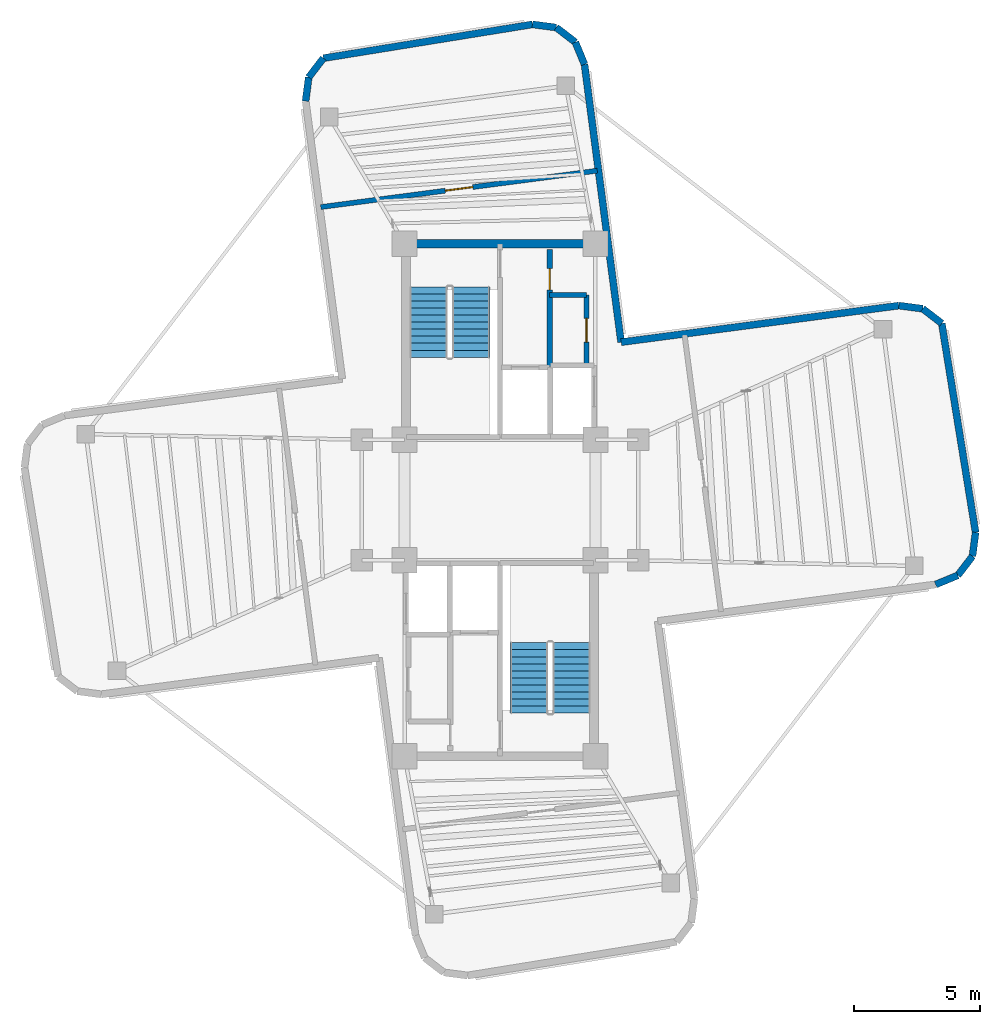
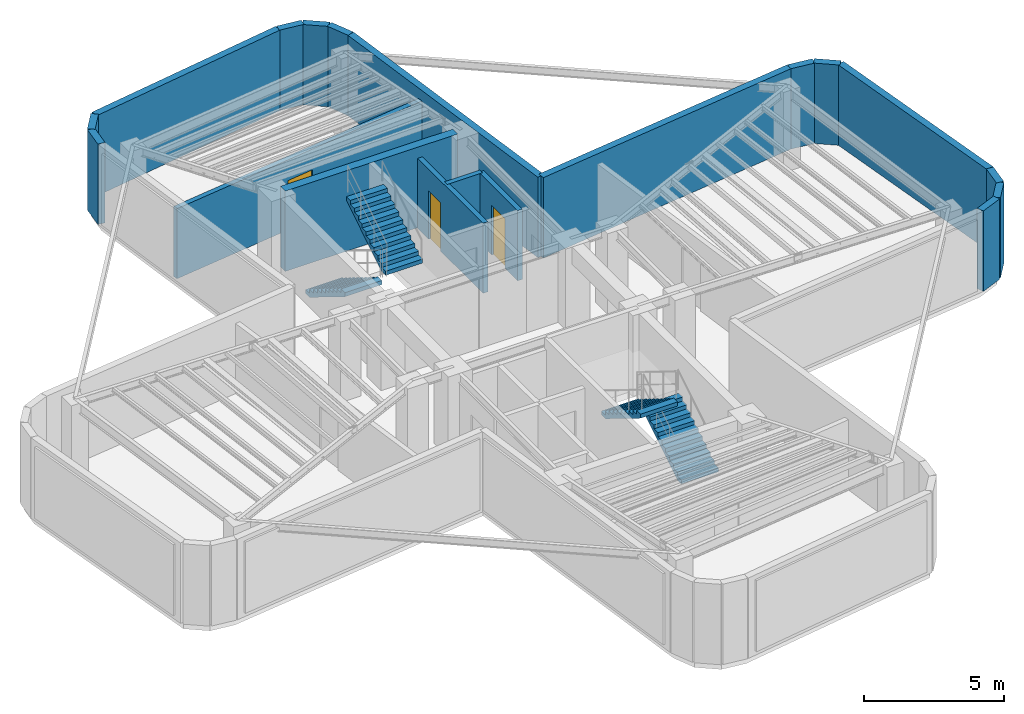
# One storey, part 5 of 6: 19 walls, 4 stair flights, 3 doors, 3 openings, 2 elements without a shape of their own.
"""IFC4 building model written with IfcOpenShell, lengths in metres."""

from ifc_helpers import new_model, si_unit, direction, frame, frame_2d, origin, origin_2d, place, context, subcontext, project, spatial, polyline, rectangle, outline, extrude, source, transform, mapped, material, layer, layer_set, type_object, element, fill, aggregate, save


model = new_model("IFC4")

# Units and contexts
model_context = context("Model", 3, precision=1e-05, world=origin(), true_north=direction((0.0, 1.0)))
body_context = subcontext(model_context, "Body", "Model", "MODEL_VIEW")
ifc_project = project(units=[si_unit("LENGTHUNIT", "METRE"), si_unit("AREAUNIT", "SQUARE_METRE"), si_unit("VOLUMEUNIT", "CUBIC_METRE"), si_unit("PLANEANGLEUNIT", "RADIAN"), si_unit("MASSUNIT", "GRAM", prefix="KILO")], contexts=[model_context])

# Site, building, storey
site_placement = place(None, origin())
site = spatial("IfcSite", under=ifc_project, at=site_placement, CompositionType="ELEMENT")
building_placement = place(site_placement, origin())
building = spatial("IfcBuilding", under=site, at=building_placement, Name="Sahyath Konkavel Grand Hotel", CompositionType="ELEMENT")
storey_placement = place(building_placement, frame((0.0, 0.0, 288.89990234375)))
storey = spatial("IfcBuildingStorey", under=building, at=storey_placement, Name="L80", CompositionType="ELEMENT", Elevation=288.89990234375)

# Wall
ifc_material_1 = material(Name="Concrete C40/50", Category="concrete")
ifc_layer_1 = layer(ifc_material_1, 0.35009765625)
ifc_layer_set_1 = layer_set([ifc_layer_1], Name="Concrete C40/50")
wall_type_1 = type_object("IfcWallType", Name="CWALL-350", PredefinedType="SHEAR", material=ifc_layer_set_1)
wall_1_placement = place(storey_placement, frame((-3.550048828125, 10.199951171875, 0.0), z_axis=(0.0, 0.0, 1.0), x_axis=(1.0, 0.0, 0.0)))
element("IfcWall", 1, at=wall_1_placement, inside=storey, type_object=wall_type_1, Name="L80 North Core Shear Wall N", PredefinedType="SHEAR", context=body_context, shape_type="SweptSolid", body=[
    extrude(rectangle(XDim=7.10009765625, YDim=0.35009765625, at=frame_2d((3.550048828125, 0.0))), origin(), (0.0, 0.0, 1.0), 3.5),
])

# Wall, opening, door
ifc_layer_2 = layer(ifc_material_1, 0.199951171875)
ifc_layer_set_2 = layer_set([ifc_layer_2], Name="Concrete C40/50")
wall_type_2 = type_object("IfcWallType", Name="WLL-CORE-200", PredefinedType="SOLIDWALL", material=ifc_layer_set_2)
wall_2_placement = place(storey_placement, frame((1.97998046875, 5.320068359375, 0.0), z_axis=(0.0, 0.0, 1.0), x_axis=(0.0, 1.0, 0.0)))
wall_2 = element("IfcWall", 2, at=wall_2_placement, inside=storey, type_object=wall_type_2, Name="L80 North Firefighting Lobby Wall E", PredefinedType="SOLIDWALL", context=body_context, shape_type="SweptSolid", body=[
    extrude(rectangle(XDim=4.659912109375, YDim=0.199951171875, at=frame_2d((2.330078125, 0.0))), origin(), (0.0, 0.0, 1.0), 3.050048828125),
])
opening_1_placement = place(wall_2_placement, frame((3.0400390625, 0.0, 0.0)))
opening_1 = element("IfcOpeningElement", 3, at=opening_1_placement, cuts=wall_2, Name="Opening D-F12D", PredefinedType="OPENING", context=body_context, shape_type="SweptSolid", body=[
    extrude(rectangle(XDim=0.85009765625, YDim=2.10009765625, at=frame_2d((0.425048828125, 1.050048828125))), frame((0.0, 0.10986328125, 0.0), z_axis=(0.0, -1.0, 0.0), x_axis=(1.0, 0.0, 0.0)), (0.0, 0.0, 1.0), 0.219970703125),
])
ifc_material_2 = material(Name="Steel E350 Core Fire Door", Category="steel")
door_type_1 = type_object("IfcDoorType", Name="DR-FD120-850", OperationType="NOTDEFINED", PredefinedType="DOOR", material=ifc_material_2)
shared_shape_1 = source(origin(), body_context, "Body", "SweptSolid", [
    extrude(rectangle(XDim=0.85009765625, YDim=0.050048828125, at=origin_2d()), origin(), (0.0, 0.0, 1.0), 2.10009765625),
])
door_1_placement = place(opening_1_placement, frame((0.425048828125, 0.0, 0.0)))
door_1 = element("IfcDoor", 4, at=door_1_placement, inside=storey, type_object=door_type_1, Name="L80 North Firefighting Lobby Door", OperationType="SINGLE_SWING_RIGHT", OverallHeight=2.10009765625, OverallWidth=0.85009765625, PredefinedType="DOOR", context=body_context, shape_type="MappedRepresentation", body=[
    mapped(shared_shape_1, transform((0.0, 0.0, 0.0), scale=1.0)),
])
fill(opening_1, door_1)

wall_3_placement = place(storey_placement, frame((3.43994140625, 5.3798828125, 0.0), z_axis=(0.0, 0.0, 1.0), x_axis=(0.0, 1.0, 0.0)))
wall_3 = element("IfcWall", 5, at=wall_3_placement, inside=storey, type_object=wall_type_2, Name="L80 Reclaimed North Core Wall E", PredefinedType="SOLIDWALL", context=body_context, shape_type="SweptSolid", body=[
    extrude(rectangle(XDim=2.77001953125, YDim=0.199951171875, at=frame_2d((1.385009765625, 0.0))), origin(), (0.0, 0.0, 1.0), 3.050048828125),
])
opening_2_placement = place(wall_3_placement, frame((0.89990234375, 0.0, 0.0)))
opening_2 = element("IfcOpeningElement", 6, at=opening_2_placement, cuts=wall_3, Name="Opening D-F06B", PredefinedType="OPENING", context=body_context, shape_type="SweptSolid", body=[
    extrude(rectangle(XDim=0.949951171875, YDim=2.14990234375, at=frame_2d((0.47509765625, 1.074951171875))), frame((0.0, 0.10986328125, 0.0), z_axis=(0.0, -1.0, 0.0), x_axis=(1.0, 0.0, 0.0)), (0.0, 0.0, 1.0), 0.219970703125),
])
ifc_material_3 = material(Name="Teak Veneer Fire-Rated Guest Entrance Door")
door_type_2 = type_object("IfcDoorType", Name="DR-FD60-950", OperationType="NOTDEFINED", PredefinedType="DOOR", material=ifc_material_3)
shared_shape_2 = source(origin(), body_context, "Body", "SweptSolid", [
    extrude(rectangle(XDim=0.949951171875, YDim=0.050048828125, at=origin_2d()), origin(), (0.0, 0.0, 1.0), 2.14990234375),
])
door_2_placement = place(opening_2_placement, frame((0.47509765625, 0.0, 0.0)))
door_2 = element("IfcDoor", 7, at=door_2_placement, inside=storey, type_object=door_type_2, Name="L80 Door NC-REC1-D", OperationType="SINGLE_SWING_RIGHT", OverallHeight=2.14990234375, OverallWidth=0.949951171875, PredefinedType="DOOR", context=body_context, shape_type="MappedRepresentation", body=[
    mapped(shared_shape_2, transform((0.0, 0.0, 0.0), scale=1.0)),
])
fill(opening_2, door_2)

# Wall
wall_4_placement = place(storey_placement, frame((1.97998046875, 8.14990234375, 0.0), z_axis=(0.0, 0.0, 1.0), x_axis=(1.0, 0.0, 0.0)))
element("IfcWall", 8, at=wall_4_placement, inside=storey, type_object=wall_type_2, Name="L80 Partition NC-REC-N", PredefinedType="SOLIDWALL", context=body_context, shape_type="SweptSolid", body=[
    extrude(rectangle(XDim=1.4599609375, YDim=0.199951171875, at=frame_2d((0.72998046875, 0.0))), origin(), (0.0, 0.0, 1.0), 3.050048828125),
])

# Wall, opening, door
wall_5_placement = place(storey_placement, frame((3.872314453125, 13.107666015625, 0.0), z_axis=(0.0, 0.0, 1.0), x_axis=(-0.991443437127, -0.130537009991, 0.0)))
wall_5 = element("IfcWall", 9, at=wall_5_placement, inside=storey, type_object=wall_type_2, Name="L80 Partition CP-LMR-IN", PredefinedType="SOLIDWALL", context=body_context, shape_type="SweptSolid", body=[
    extrude(rectangle(XDim=11.10009765625, YDim=0.199951171875, at=frame_2d((5.550048828125, 0.0))), origin(), (0.0, 0.0, 1.0), 3.050048828125),
])
opening_3_placement = place(wall_5_placement, frame((5.0, 0.0, 0.0)))
opening_3 = element("IfcOpeningElement", 10, at=opening_3_placement, cuts=wall_5, Name="Opening D-F12B", PredefinedType="OPENING", context=body_context, shape_type="SweptSolid", body=[
    extrude(rectangle(XDim=1.10009765625, YDim=2.14990234375, at=frame_2d((0.550048828125, 1.074951171875))), frame((0.0, 0.10986328125, 0.0), z_axis=(0.0, -1.0, 0.0), x_axis=(1.0, 0.0, 0.0)), (0.0, 0.0, 1.0), 0.219970703125),
])
ifc_material_4 = material(Name="Steel E350 Smokeproof Fire Door", Category="steel")
door_type_3 = type_object("IfcDoorType", Name="DR-FD120-1100", OperationType="NOTDEFINED", PredefinedType="DOOR", material=ifc_material_4)
shared_shape_3 = source(origin(), body_context, "Body", "SweptSolid", [
    extrude(rectangle(XDim=1.10009765625, YDim=0.050048828125, at=origin_2d()), origin(), (0.0, 0.0, 1.0), 2.14990234375),
])
door_3_placement = place(opening_3_placement, frame((0.550048828125, 0.0, 0.0)))
door_3 = element("IfcDoor", 11, at=door_3_placement, inside=storey, type_object=door_type_3, Name="L80 Door CP-LMR-D", OperationType="SINGLE_SWING_RIGHT", OverallHeight=2.14990234375, OverallWidth=1.10009765625, PredefinedType="DOOR", context=body_context, shape_type="MappedRepresentation", body=[
    mapped(shared_shape_3, transform((0.0, 0.0, 0.0), scale=1.0)),
])
fill(opening_3, door_3)

# Walls
ifc_material_5 = material(Name="Warm Buff Sandstone Insulated Concrete C40/50", Category="masonry")
ifc_layer_3 = layer(ifc_material_5, 0.280029296875)
ifc_layer_set_3 = layer_set([ifc_layer_3], Name="Warm Buff Sandstone Insulated Concrete C40/50")
wall_type_3 = type_object("IfcWallType", Name="WLL-CROWN-CLAD", PredefinedType="SOLIDWALL", material=ifc_layer_set_3)
for number, where, z_axis, x_axis, name in (
    (12, (17.337646484375, -3.36572265625, 0.0), (0.0, 0.0, 1.0), (0.923889442397, 0.382659506909, 0.0), "L80 Crown Sandstone & Acoustic Louvre Wall 1"),
    (13, (18.222412109375, -2.999267578125, 0.0), (0.0, 0.0, 1.0), (0.608774010809, 0.793343685778, 0.0), "L80 Crown Sandstone & Acoustic Louvre Wall 2"),
    (14, (18.805419921875, -2.239501953125, 0.0), (0.0, 0.0, 1.0), (0.130527053476, 0.991444747987, 0.0), "L80 Crown Sandstone & Acoustic Louvre Wall 3"),
):
    element("IfcWall", number, at=place(storey_placement, frame(where, z_axis=z_axis, x_axis=x_axis)), inside=storey, type_object=wall_type_3, Name=name, PredefinedType="SOLIDWALL", context=body_context, shape_type="SweptSolid", body=[
        extrude(rectangle(XDim=0.957763671875, YDim=0.280029296875, at=frame_2d((0.47900390625, 0.0))), origin(), (0.0, 0.0, 1.0), 3.5),
    ])
wall_6_placement = place(storey_placement, frame((18.930419921875, -1.2900390625, 0.0), z_axis=(0.0, 0.0, 1.0), x_axis=(-0.159629483961, 0.987176999251, 0.0)))
element("IfcWall", 15, at=wall_6_placement, inside=storey, type_object=wall_type_3, Name="L80 Crown Sandstone & Acoustic Louvre Wall 4", PredefinedType="SOLIDWALL", context=body_context, shape_type="SweptSolid", body=[
    extrude(rectangle(XDim=8.4287109375, YDim=0.280029296875, at=frame_2d((4.21435546875, 0.0))), origin(), (0.0, 0.0, 1.0), 3.5),
])
wall_7_placement = place(storey_placement, frame((17.5849609375, 7.030517578125, 0.0), z_axis=(0.0, 0.0, 1.0), x_axis=(-0.793466811674, 0.60861352168, 0.0)))
element("IfcWall", 16, at=wall_7_placement, inside=storey, type_object=wall_type_3, Name="L80 Crown Sandstone & Acoustic Louvre Wall 5", PredefinedType="SOLIDWALL", context=body_context, shape_type="SweptSolid", body=[
    extrude(rectangle(XDim=0.95751953125, YDim=0.280029296875, at=frame_2d((0.478759765625, 0.0))), origin(), (0.0, 0.0, 1.0), 3.5),
])
wall_8_placement = place(storey_placement, frame((16.8251953125, 7.61328125, 0.0), z_axis=(0.0, 0.0, 1.0), x_axis=(-0.991444747987, 0.130527053476, 0.0)))
element("IfcWall", 17, at=wall_8_placement, inside=storey, type_object=wall_type_3, Name="L80 Crown Sandstone & Acoustic Louvre Wall 6", PredefinedType="SOLIDWALL", context=body_context, shape_type="SweptSolid", body=[
    extrude(rectangle(XDim=0.957763671875, YDim=0.280029296875, at=frame_2d((0.47900390625, 0.0))), origin(), (0.0, 0.0, 1.0), 3.5),
])
for number, where, z_axis, x_axis, name in (
    (18, (15.875732421875, 7.73828125, 0.0), (0.0, 0.0, 1.0), (-0.991445499165, -0.130521347626, 0.0), "L80 Crown Sandstone & Acoustic Louvre Wall 7"),
    (19, (4.821044921875, 6.282958984375, 0.0), (0.0, 0.0, 1.0), (-0.130521347626, 0.991445499165, 0.0), "L80 Crown Sandstone & Acoustic Louvre Wall 8"),
):
    element("IfcWall", number, at=place(storey_placement, frame(where, z_axis=z_axis, x_axis=x_axis)), inside=storey, type_object=wall_type_3, Name=name, PredefinedType="SOLIDWALL", context=body_context, shape_type="SweptSolid", body=[
        extrude(rectangle(XDim=11.150146484375, YDim=0.280029296875, at=frame_2d((5.5751953125, 0.0))), origin(), (0.0, 0.0, 1.0), 3.5),
    ])
for number, where, z_axis, x_axis, name in (
    (20, (3.36572265625, 17.337646484375, 0.0), (0.0, 0.0, 1.0), (-0.382659506909, 0.923889442397, 0.0), "L80 Crown Sandstone & Acoustic Louvre Wall 9"),
    (21, (2.999267578125, 18.222412109375, 0.0), (0.0, 0.0, 1.0), (-0.793343685778, 0.608774010809, 0.0), "L80 Crown Sandstone & Acoustic Louvre Wall 10"),
    (22, (2.239501953125, 18.805419921875, 0.0), (0.0, 0.0, 1.0), (-0.991444747987, 0.130527053476, 0.0), "L80 Crown Sandstone & Acoustic Louvre Wall 11"),
):
    element("IfcWall", number, at=place(storey_placement, frame(where, z_axis=z_axis, x_axis=x_axis)), inside=storey, type_object=wall_type_3, Name=name, PredefinedType="SOLIDWALL", context=body_context, shape_type="SweptSolid", body=[
        extrude(rectangle(XDim=0.957763671875, YDim=0.280029296875, at=frame_2d((0.47900390625, 0.0))), origin(), (0.0, 0.0, 1.0), 3.5),
    ])
wall_9_placement = place(storey_placement, frame((1.2900390625, 18.930419921875, 0.0), z_axis=(0.0, 0.0, 1.0), x_axis=(-0.987176999251, -0.159629483961, 0.0)))
element("IfcWall", 23, at=wall_9_placement, inside=storey, type_object=wall_type_3, Name="L80 Crown Sandstone & Acoustic Louvre Wall 12", PredefinedType="SOLIDWALL", context=body_context, shape_type="SweptSolid", body=[
    extrude(rectangle(XDim=8.4287109375, YDim=0.280029296875, at=frame_2d((4.21435546875, 0.0))), origin(), (0.0, 0.0, 1.0), 3.5),
])
wall_10_placement = place(storey_placement, frame((-7.030517578125, 17.5849609375, 0.0), z_axis=(0.0, 0.0, 1.0), x_axis=(-0.60861352168, -0.793466811674, 0.0)))
element("IfcWall", 24, at=wall_10_placement, inside=storey, type_object=wall_type_3, Name="L80 Crown Sandstone & Acoustic Louvre Wall 13", PredefinedType="SOLIDWALL", context=body_context, shape_type="SweptSolid", body=[
    extrude(rectangle(XDim=0.95751953125, YDim=0.280029296875, at=frame_2d((0.478759765625, 0.0))), origin(), (0.0, 0.0, 1.0), 3.5),
])
wall_11_placement = place(storey_placement, frame((-7.61328125, 16.8251953125, 0.0), z_axis=(0.0, 0.0, 1.0), x_axis=(-0.130527053476, -0.991444747987, 0.0)))
element("IfcWall", 25, at=wall_11_placement, inside=storey, type_object=wall_type_3, Name="L80 Crown Sandstone & Acoustic Louvre Wall 14", PredefinedType="SOLIDWALL", context=body_context, shape_type="SweptSolid", body=[
    extrude(rectangle(XDim=0.957763671875, YDim=0.280029296875, at=frame_2d((0.47900390625, 0.0))), origin(), (0.0, 0.0, 1.0), 3.5),
])

# Stair, stair flights
stair_type = type_object("IfcStairType", Name="STR-ST16-380", PredefinedType="HALF_TURN_STAIR", material=ifc_material_1)
stair_1_placement = place(storey_placement, origin())
stair_1 = element("IfcStair", 26, at=stair_1_placement, inside=storey, type_object=stair_type, Name="L80 North Core Smokeproof Exit Stair ST-1", PredefinedType="HALF_TURN_STAIR")
stair_flight_type = type_object("IfcStairFlightType", Name="STF-ST16-380", PredefinedType="STRAIGHT", material=ifc_material_1)
stair_flight_1_placement = place(storey_placement, frame((-2.840087890625, 8.47998046875, 0.0), z_axis=(0.0, 0.0, 1.0), x_axis=(0.0, -1.0, 0.0)))
stair_flight_1 = element("IfcStairFlight", 27, at=stair_flight_1_placement, type_object=stair_flight_type, Name="ST-1 flight 1", NumberOfRisers=11, NumberOfTreads=10, PredefinedType="STRAIGHT", RiserHeight=0.172727273, TreadLength=0.28, context=body_context, shape_type="SweptSolid", body=[
    extrude(outline(polyline([(0.0, 0.0), (0.0, 0.172607421875), (0.280029296875, 0.172607421875), (0.280029296875, 0.345458984375), (0.56005859375, 0.345458984375), (0.56005859375, 0.51806640625), (0.840087890625, 0.51806640625), (0.840087890625, 0.69091796875), (1.1201171875, 0.69091796875), (1.1201171875, 0.863525390625), (1.39990234375, 0.863525390625), (1.39990234375, 1.036376953125), (1.679931640625, 1.036376953125), (1.679931640625, 1.208984375), (1.9599609375, 1.208984375), (1.9599609375, 1.3818359375), (2.239990234375, 1.3818359375), (2.239990234375, 1.554443359375), (2.52001953125, 1.554443359375), (2.52001953125, 1.727294921875), (2.800048828125, 1.727294921875), (2.800048828125, 1.89990234375), (2.800048828125, 1.551025390625), (0.285400390625, 0.0), (0.0, 0.0)])), frame((0.0, 0.760009765625, 0.0), z_axis=(0.0, -1.0, 0.0), x_axis=(1.0, 0.0, 0.0)), (0.0, 0.0, 1.0), 1.52001953125),
])
stair_flight_2_placement = place(storey_placement, frame((-1.159912109375, 5.679931640625, 1.900146484375), z_axis=(0.0, 0.0, 1.0), x_axis=(0.0, 1.0, 0.0)))
stair_flight_2 = element("IfcStairFlight", 28, at=stair_flight_2_placement, type_object=stair_flight_type, Name="ST-1 flight 2", NumberOfRisers=11, NumberOfTreads=10, PredefinedType="STRAIGHT", RiserHeight=0.172727273, TreadLength=0.28, context=body_context, shape_type="SweptSolid", body=[
    extrude(outline(polyline([(0.0, 0.0), (0.0, 0.172607421875), (0.280029296875, 0.172607421875), (0.280029296875, 0.345458984375), (0.56005859375, 0.345458984375), (0.56005859375, 0.51806640625), (0.840087890625, 0.51806640625), (0.840087890625, 0.69091796875), (1.1201171875, 0.69091796875), (1.1201171875, 0.863525390625), (1.39990234375, 0.863525390625), (1.39990234375, 1.036376953125), (1.679931640625, 1.036376953125), (1.679931640625, 1.208984375), (1.9599609375, 1.208984375), (1.9599609375, 1.3818359375), (2.239990234375, 1.3818359375), (2.239990234375, 1.554443359375), (2.52001953125, 1.554443359375), (2.52001953125, 1.727294921875), (2.800048828125, 1.727294921875), (2.800048828125, 1.89990234375), (2.800048828125, 1.551025390625), (0.285400390625, 0.0), (0.0, 0.0)])), frame((0.0, 0.760009765625, 0.0), z_axis=(0.0, -1.0, 0.0), x_axis=(1.0, 0.0, 0.0)), (0.0, 0.0, 1.0), 1.52001953125),
])
aggregate(stair_1, [stair_flight_1, stair_flight_2])

stair_2_placement = place(storey_placement, origin())
stair_2 = element("IfcStair", 29, at=stair_2_placement, inside=storey, type_object=stair_type, Name="L80 South Core Smokeproof Exit Stair ST-2", PredefinedType="HALF_TURN_STAIR")
stair_flight_3_placement = place(storey_placement, frame((2.840087890625, -8.47998046875, 0.0), z_axis=(0.0, 0.0, 1.0), x_axis=(0.0, 1.0, 0.0)))
stair_flight_3 = element("IfcStairFlight", 30, at=stair_flight_3_placement, type_object=stair_flight_type, Name="ST-2 flight 1", NumberOfRisers=11, NumberOfTreads=10, PredefinedType="STRAIGHT", RiserHeight=0.172727273, TreadLength=0.28, context=body_context, shape_type="SweptSolid", body=[
    extrude(outline(polyline([(0.0, 0.0), (0.0, 0.172607421875), (0.280029296875, 0.172607421875), (0.280029296875, 0.345458984375), (0.56005859375, 0.345458984375), (0.56005859375, 0.51806640625), (0.840087890625, 0.51806640625), (0.840087890625, 0.69091796875), (1.1201171875, 0.69091796875), (1.1201171875, 0.863525390625), (1.39990234375, 0.863525390625), (1.39990234375, 1.036376953125), (1.679931640625, 1.036376953125), (1.679931640625, 1.208984375), (1.9599609375, 1.208984375), (1.9599609375, 1.3818359375), (2.239990234375, 1.3818359375), (2.239990234375, 1.554443359375), (2.52001953125, 1.554443359375), (2.52001953125, 1.727294921875), (2.800048828125, 1.727294921875), (2.800048828125, 1.89990234375), (2.800048828125, 1.551025390625), (0.285400390625, 0.0), (0.0, 0.0)])), frame((0.0, 0.760009765625, 0.0), z_axis=(0.0, -1.0, 0.0), x_axis=(1.0, 0.0, 0.0)), (0.0, 0.0, 1.0), 1.52001953125),
])
stair_flight_4_placement = place(storey_placement, frame((1.159912109375, -5.679931640625, 1.900146484375), z_axis=(0.0, 0.0, 1.0), x_axis=(0.0, -1.0, 0.0)))
stair_flight_4 = element("IfcStairFlight", 31, at=stair_flight_4_placement, type_object=stair_flight_type, Name="ST-2 flight 2", NumberOfRisers=11, NumberOfTreads=10, PredefinedType="STRAIGHT", RiserHeight=0.172727273, TreadLength=0.28, context=body_context, shape_type="SweptSolid", body=[
    extrude(outline(polyline([(0.0, 0.0), (0.0, 0.172607421875), (0.280029296875, 0.172607421875), (0.280029296875, 0.345458984375), (0.56005859375, 0.345458984375), (0.56005859375, 0.51806640625), (0.840087890625, 0.51806640625), (0.840087890625, 0.69091796875), (1.1201171875, 0.69091796875), (1.1201171875, 0.863525390625), (1.39990234375, 0.863525390625), (1.39990234375, 1.036376953125), (1.679931640625, 1.036376953125), (1.679931640625, 1.208984375), (1.9599609375, 1.208984375), (1.9599609375, 1.3818359375), (2.239990234375, 1.3818359375), (2.239990234375, 1.554443359375), (2.52001953125, 1.554443359375), (2.52001953125, 1.727294921875), (2.800048828125, 1.727294921875), (2.800048828125, 1.89990234375), (2.800048828125, 1.551025390625), (0.285400390625, 0.0), (0.0, 0.0)])), frame((0.0, 0.760009765625, 0.0), z_axis=(0.0, -1.0, 0.0), x_axis=(1.0, 0.0, 0.0)), (0.0, 0.0, 1.0), 1.52001953125),
])
aggregate(stair_2, [stair_flight_3, stair_flight_4])

save(model, "model.ifc")
